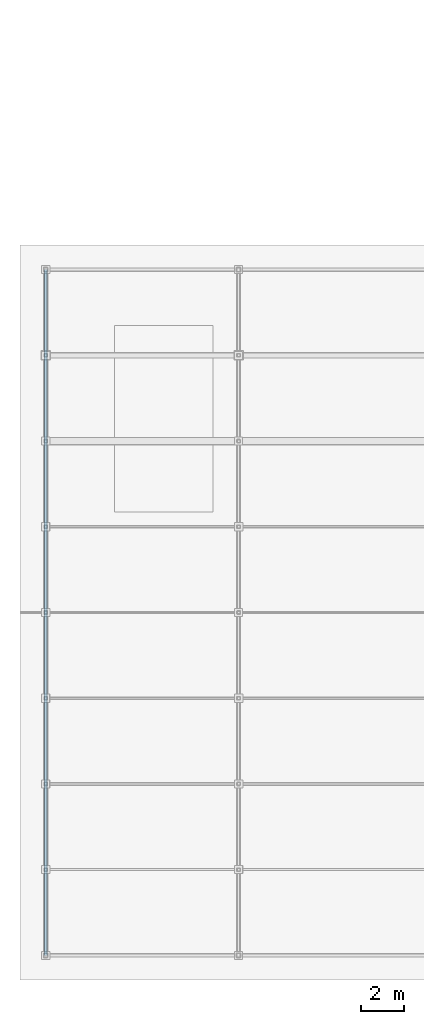
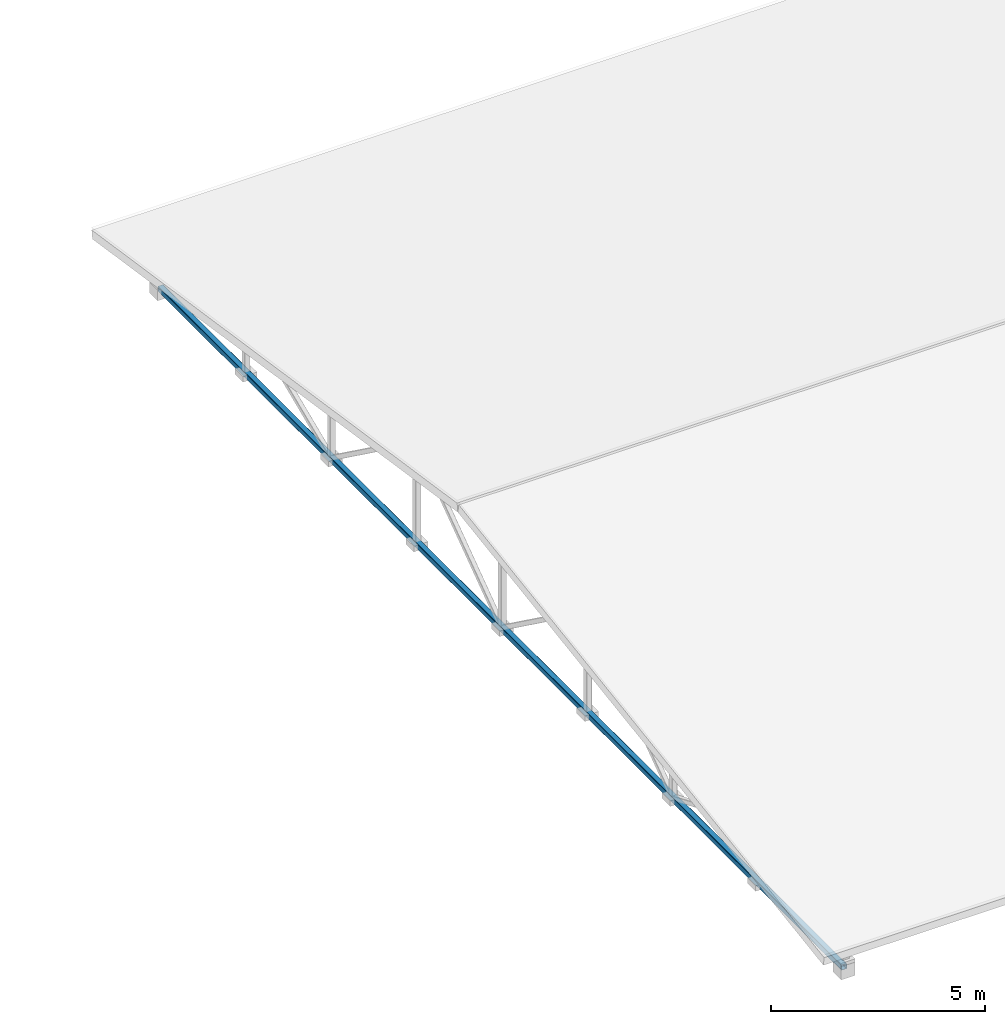
# One storey, part 10 of 118: 1 beam.
"""IFC4 building model written with IfcOpenShell, lengths in metres."""

from ifc_helpers import new_model, si_unit, direction, frame, origin, origin_2d, place, context, subcontext, project, spatial, hollow_rectangle, extrude, material, material_profile, profile_set, type_object, element, save


model = new_model("IFC4")

# Units and contexts
model_context = context("Model", 3, precision=1e-05, world=origin(), true_north=direction((0.0, 1.0)))
body_context = subcontext(model_context, "Body", "Model", "MODEL_VIEW")
ifc_project = project(units=[si_unit("LENGTHUNIT", "METRE"), si_unit("AREAUNIT", "SQUARE_METRE"), si_unit("VOLUMEUNIT", "CUBIC_METRE"), si_unit("PLANEANGLEUNIT", "RADIAN"), si_unit("MASSUNIT", "GRAM", prefix="KILO"), si_unit("THERMODYNAMICTEMPERATUREUNIT", "KELVIN"), si_unit("POWERUNIT", "WATT")], contexts=[model_context])

# Site, building, storey
site_placement = place(None, origin())
site = spatial("IfcSite", under=ifc_project, at=site_placement, CompositionType="ELEMENT")
building_placement = place(site_placement, origin())
building = spatial("IfcBuilding", under=site, at=building_placement, Name="Zelmaris Science Centre", CompositionType="ELEMENT")
storey_placement = place(building_placement, frame((0.0, 0.0, 15.60009765625)))
storey = spatial("IfcBuildingStorey", under=building, at=storey_placement, Name="L03", CompositionType="ELEMENT", Elevation=15.60009765625)

# Beam
ifc_material = material(Name="Steel ASTM A500 Grade C", Category="steel")
ifc_material_profile = material_profile(ifc_material, hollow_rectangle(XDim=0.15234375, YDim=0.15234375, WallThickness=0.0087890625, InnerFilletRadius=0.0087890625, OuterFilletRadius=0.017822265625, at=origin_2d()), Name="HSS152X152X10")
ifc_profile_set = profile_set([ifc_material_profile], Name="Steel ASTM A500 Grade C")
beam_type = type_object("IfcBeamType", Name="Beam G-21 HSS152X152X10", PredefinedType="BEAM", material=ifc_profile_set)
beam_placement = place(storey_placement, frame((9.0, 8.0, -0.1044921875), z_axis=(0.0, 1.0, 0.0), x_axis=(-1.0, 0.0, 0.0)))
element("IfcBeam", 1, at=beam_placement, inside=storey, type_object=beam_type, Name="RF-V3 Roof truss 1 bottom chord", PredefinedType="BEAM", context=body_context, shape_type="SweptSolid", body=[
    extrude(hollow_rectangle(XDim=0.15234375, YDim=0.15234375, WallThickness=0.0087890625, InnerFilletRadius=0.0087890625, OuterFilletRadius=0.017822265625, at=origin_2d()), origin(), (0.0, 0.0, 1.0), 32.0),
])

save(model, "model.ifc")
